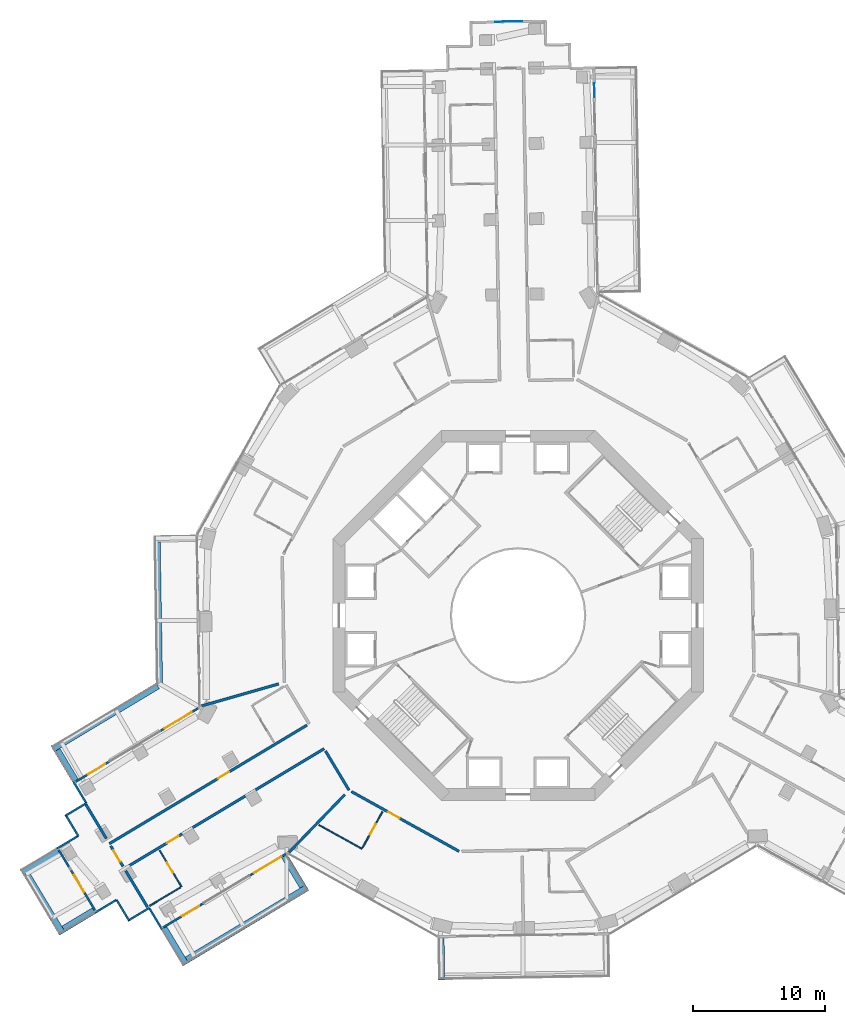
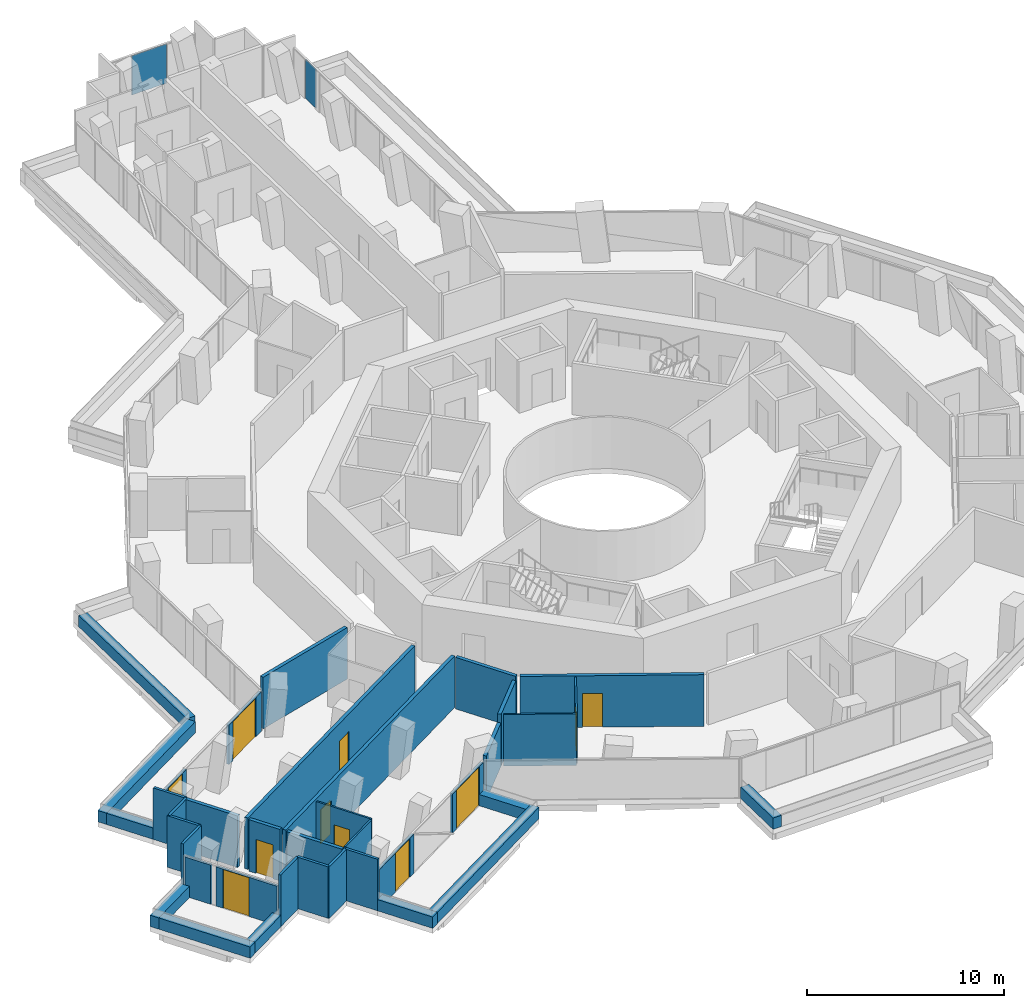
# One storey, part 17 of 25: 38 walls, 11 doors, 2 plates, 11 openings, 2 elements without a shape of their own.
"""IFC4 building model written with IfcOpenShell, lengths in metres."""

from ifc_helpers import new_model, si_unit, direction, frame, frame_2d, origin, origin_2d, place, context, subcontext, project, spatial, rectangle, extrude, material, layer, layer_set, type_object, element, fill, aggregate, save


model = new_model("IFC4")

# Units and contexts
model_context = context("Model", 3, precision=1e-05, world=origin(), true_north=direction((0.0, 1.0)))
body_context = subcontext(model_context, "Body", "Model", "MODEL_VIEW")
ifc_project = project(units=[si_unit("LENGTHUNIT", "METRE"), si_unit("AREAUNIT", "SQUARE_METRE"), si_unit("VOLUMEUNIT", "CUBIC_METRE"), si_unit("PLANEANGLEUNIT", "RADIAN"), si_unit("MASSUNIT", "GRAM", prefix="KILO")], contexts=[model_context])

# Site, building, storey
site_placement = place(None, origin())
site = spatial("IfcSite", under=ifc_project, at=site_placement, CompositionType="ELEMENT")
building_placement = place(site_placement, origin())
building = spatial("IfcBuilding", under=site, at=building_placement, Name="Verdalira Terraces Hotel", CompositionType="ELEMENT")
storey_placement = place(building_placement, frame((0.0, 0.0, 39.0)))
storey = spatial("IfcBuildingStorey", under=building, at=storey_placement, Name="L07", CompositionType="ELEMENT", Elevation=39.0)

# Curtain wall, plate
ifc_material_1 = material(Name="Clear glass", Category="glass")
ifc_layer_1 = layer(ifc_material_1, 0.14990234375)
ifc_layer_set_1 = layer_set([ifc_layer_1], Name="CW2 curtain wall")
curtain_wall_type_1 = type_object("IfcCurtainWallType", Name="CW2 curtain wall", PredefinedType="NOTDEFINED", material=ifc_layer_set_1)
curtain_wall_1_placement = place(storey_placement, origin())
curtain_wall_1 = element("IfcCurtainWall", 1, at=curtain_wall_1_placement, inside=storey, type_object=curtain_wall_type_1, Name="CW2 curtain wall L07 edge 0", PredefinedType="NOTDEFINED")
ifc_material_2 = material(Name="Clear glass", Category="glass")
ifc_layer_2 = layer(ifc_material_2, 0.031982421875)
ifc_layer_set_2 = layer_set([ifc_layer_2], Name="CW2 glass unit 32")
plate_type_1 = type_object("IfcPlateType", Name="CW2 glass unit 32", PredefinedType="CURTAIN_PANEL", material=ifc_layer_set_2)
plate_1_placement = place(storey_placement, frame((5.760742, 39.689697, 0.0), z_axis=(0.0, 0.0, 1.0), x_axis=(-0.016754377, 0.999859636, 0.0)))
plate_1 = element("IfcPlate", 2, at=plate_1_placement, type_object=plate_type_1, Name="CW2 glass unit", PredefinedType="CURTAIN_PANEL", context=body_context, shape_type="SweptSolid", body=[
    extrude(rectangle(XDim=1.055176, YDim=0.031982, at=origin_2d()), origin(), (0.0, 0.0, 1.0), 2.425049),
])
aggregate(curtain_wall_1, [plate_1])

ifc_material_3 = material(Name="Clear glass", Category="glass")
ifc_layer_3 = layer(ifc_material_3, 0.14990234375)
ifc_layer_set_3 = layer_set([ifc_layer_3], Name="CW3 curtain wall")
curtain_wall_type_2 = type_object("IfcCurtainWallType", Name="CW3 curtain wall", PredefinedType="NOTDEFINED", material=ifc_layer_set_3)
curtain_wall_2_placement = place(storey_placement, origin())
curtain_wall_2 = element("IfcCurtainWall", 3, at=curtain_wall_2_placement, inside=storey, type_object=curtain_wall_type_2, Name="CW3 curtain wall L07 edge 5", PredefinedType="NOTDEFINED")
ifc_material_4 = material(Name="Clear glass", Category="glass")
ifc_layer_4 = layer(ifc_material_4, 0.035888671875)
ifc_layer_set_4 = layer_set([ifc_layer_4], Name="CW3 glass unit 36")
plate_type_2 = type_object("IfcPlateType", Name="CW3 glass unit 36", PredefinedType="CURTAIN_PANEL", material=ifc_layer_set_4)
plate_2_placement = place(storey_placement, frame((-0.710205, 44.894775, 0.0), z_axis=(0.0, 0.0, 1.0), x_axis=(-0.999859636, -0.016754377, 0.0)))
plate_2 = element("IfcPlate", 4, at=plate_2_placement, type_object=plate_type_2, Name="CW3 glass unit", PredefinedType="CURTAIN_PANEL", context=body_context, shape_type="SweptSolid", body=[
    extrude(rectangle(XDim=2.063965, YDim=0.035889, at=origin_2d()), origin(), (0.0, 0.0, 1.0), 2.425049),
])
aggregate(curtain_wall_2, [plate_2])

# Walls
ifc_material_5 = material(Name="Concrete C40", Category="concrete")
ifc_layer_5 = layer(ifc_material_5, 0.5)
ifc_layer_set_5 = layer_set([ifc_layer_5], Name="Balcony planter trough with tree")
wall_type_1 = type_object("IfcWallType", Name="Balcony planter trough with tree", PredefinedType="SOLIDWALL", material=ifc_layer_set_5)
wall_1_placement = place(storey_placement, frame((-27.304932, 5.543213, 0.0), z_axis=(0.0, 0.0, 1.0), x_axis=(0.016753711, -0.999859647, 0.0)))
element("IfcWall", 5, at=wall_1_placement, inside=storey, type_object=wall_type_1, Name="Balcony planter", PredefinedType="SOLIDWALL", context=body_context, shape_type="SweptSolid", body=[
    extrude(rectangle(XDim=10.652344, YDim=0.5, at=frame_2d((5.326172, 0.0))), origin(), (0.0, 0.0, 1.0), 0.699951),
])
wall_2_placement = place(storey_placement, frame((-27.247803, -5.326172, 0.0), z_axis=(0.0, 0.0, 1.0), x_axis=(-0.85753243, -0.514429909, 0.0)))
element("IfcWall", 6, at=wall_2_placement, inside=storey, type_object=wall_type_1, Name="Balcony planter", PredefinedType="SOLIDWALL", context=body_context, shape_type="SweptSolid", body=[
    extrude(rectangle(XDim=9.269531, YDim=0.5, at=frame_2d((4.634766, 0.0))), origin(), (0.0, 0.0, 1.0), 0.699951),
])
wall_3_placement = place(storey_placement, frame((-34.85376, -10.180664, 0.0), z_axis=(0.0, 0.0, 1.0), x_axis=(0.514429241, -0.857532831, 0.0)))
element("IfcWall", 7, at=wall_3_placement, inside=storey, type_object=wall_type_1, Name="Balcony planter", PredefinedType="SOLIDWALL", context=body_context, shape_type="SweptSolid", body=[
    extrude(rectangle(XDim=2.698975, YDim=0.5, at=frame_2d((1.349609, 0.0))), origin(), (0.0, 0.0, 1.0), 0.699951),
])
wall_4_placement = place(storey_placement, frame((-34.786377, -17.778564, 0.0), z_axis=(0.0, 0.0, 1.0), x_axis=(-0.857566989, -0.514372297, 0.0)))
element("IfcWall", 8, at=wall_4_placement, inside=storey, type_object=wall_type_1, Name="Balcony planter", PredefinedType="SOLIDWALL", context=body_context, shape_type="SweptSolid", body=[
    extrude(rectangle(XDim=3.198975, YDim=0.5, at=frame_2d((1.599609, 0.0))), origin(), (0.0, 0.0, 1.0), 0.699951),
])
wall_5_placement = place(storey_placement, frame((-37.186768, -19.51001, 0.0), z_axis=(0.0, 0.0, 1.0), x_axis=(0.514441562, -0.85752544, 0.0)))
element("IfcWall", 9, at=wall_5_placement, inside=storey, type_object=wall_type_1, Name="Balcony planter", PredefinedType="SOLIDWALL", context=body_context, shape_type="SweptSolid", body=[
    extrude(rectangle(XDim=5.300049, YDim=0.5, at=frame_2d((2.649902, 0.0))), origin(), (0.0, 0.0, 1.0), 0.699951),
])
wall_6_placement = place(storey_placement, frame((-34.374268, -23.711914, 0.0), z_axis=(0.0, 0.0, 1.0), x_axis=(0.857532831, 0.514429241, 0.0)))
element("IfcWall", 10, at=wall_6_placement, inside=storey, type_object=wall_type_1, Name="Balcony planter", PredefinedType="SOLIDWALL", context=body_context, shape_type="SweptSolid", body=[
    extrude(rectangle(XDim=2.698975, YDim=0.5, at=frame_2d((1.349609, 0.0))), origin(), (0.0, 0.0, 1.0), 0.699951),
])
wall_7_placement = place(storey_placement, frame((-26.776367, -23.644531, 0.0), z_axis=(0.0, 0.0, 1.0), x_axis=(0.514372297, -0.857566989, 0.0)))
element("IfcWall", 11, at=wall_7_placement, inside=storey, type_object=wall_type_1, Name="Balcony planter", PredefinedType="SOLIDWALL", context=body_context, shape_type="SweptSolid", body=[
    extrude(rectangle(XDim=3.198975, YDim=0.5, at=frame_2d((1.599609, 0.0))), origin(), (0.0, 0.0, 1.0), 0.699951),
])
wall_8_placement = place(storey_placement, frame((-25.044922, -26.044922, 0.0), z_axis=(0.0, 0.0, 1.0), x_axis=(0.857519302, 0.514451793, 0.0)))
element("IfcWall", 12, at=wall_8_placement, inside=storey, type_object=wall_type_1, Name="Balcony planter", PredefinedType="SOLIDWALL", context=body_context, shape_type="SweptSolid", body=[
    extrude(rectangle(XDim=10.616943, YDim=0.5, at=frame_2d((5.308594, 0.0))), origin(), (0.0, 0.0, 1.0), 0.699951),
])
wall_9_placement = place(storey_placement, frame((-16.283691, -20.497314, 0.0), z_axis=(0.0, 0.0, 1.0), x_axis=(-0.514429241, 0.857532831, 0.0)))
element("IfcWall", 13, at=wall_9_placement, inside=storey, type_object=wall_type_1, Name="Balcony planter", PredefinedType="SOLIDWALL", context=body_context, shape_type="SweptSolid", body=[
    extrude(rectangle(XDim=2.698975, YDim=0.5, at=frame_2d((1.349609, 0.0))), origin(), (0.0, 0.0, 1.0), 0.699951),
])
wall_10_placement = place(storey_placement, frame((-5.842773, -24.360596, 0.0), z_axis=(0.0, 0.0, 1.0), x_axis=(0.016790244, -0.999859034, 0.0)))
element("IfcWall", 14, at=wall_10_placement, inside=storey, type_object=wall_type_1, Name="Balcony planter", PredefinedType="SOLIDWALL", context=body_context, shape_type="SweptSolid", body=[
    extrude(rectangle(XDim=3.198975, YDim=0.5, at=frame_2d((1.599609, 0.0))), origin(), (0.0, 0.0, 1.0), 0.699951),
])
ifc_material_6 = material(Name="Moisture-resistant gypsum board partition")
ifc_layer_6 = layer(ifc_material_6, 0.10009765625)
ifc_layer_set_6 = layer_set([ifc_layer_6], Name="Bathroom partition 100 mm")
wall_type_2 = type_object("IfcWallType", Name="Bathroom partition 100 mm", PredefinedType="PARTITIONING", material=ifc_layer_set_6)
wall_11_placement = place(storey_placement, frame((-25.533447, -20.56543, 0.0), z_axis=(0.0, 0.0, 1.0), x_axis=(-0.85752484, -0.514442562, 0.0)))
element("IfcWall", 15, at=wall_11_placement, inside=storey, type_object=wall_type_2, Name="Bathroom partition", PredefinedType="PARTITIONING", context=body_context, shape_type="SweptSolid", body=[
    extrude(rectangle(XDim=2.699951, YDim=0.100098, at=frame_2d((1.350098, 0.0))), origin(), (0.0, 0.0, 1.0), 3.189941),
])

# Wall, opening, door
wall_12_placement = place(storey_placement, frame((-25.447754, -20.513916, 0.0), z_axis=(0.0, 0.0, 1.0), x_axis=(-0.514473315, 0.85750639, 0.0)))
wall_12 = element("IfcWall", 16, at=wall_12_placement, inside=storey, type_object=wall_type_2, Name="Bathroom partition", PredefinedType="PARTITIONING", context=body_context, shape_type="SweptSolid", body=[
    extrude(rectangle(XDim=3.199951, YDim=0.100098, at=frame_2d((1.600098, 0.0))), origin(), (0.0, 0.0, 1.0), 3.189941),
])
opening_1_placement = place(wall_12_placement, frame((1.25, 0.0, 0.0)))
opening_1 = element("IfcOpeningElement", 17, at=opening_1_placement, cuts=wall_12, Name="Opening L07-116", PredefinedType="OPENING", context=body_context, shape_type="SweptSolid", body=[
    extrude(rectangle(XDim=0.899902, YDim=2.100098, at=frame_2d((0.449951, 1.050049))), frame((0.0, 0.060059, 0.0), z_axis=(0.0, -1.0, 0.0), x_axis=(1.0, 0.0, 0.0)), (0.0, 0.0, 1.0), 0.120117),
])
ifc_material_7 = material(Name="Timber door", Category="wood")
door_type_1 = type_object("IfcDoorType", Name="Bathroom door 900 x 2100", OperationType="NOTDEFINED", PredefinedType="DOOR", material=ifc_material_7)
door_1_placement = place(opening_1_placement, origin())
door_1 = element("IfcDoor", 18, at=door_1_placement, inside=storey, type_object=door_type_1, Name="Bathroom door 0708", OperationType="SINGLE_SWING_LEFT", OverallHeight=2.10009765625, OverallWidth=0.89990234375, PredefinedType="DOOR", context=body_context, shape_type="SweptSolid", body=[
    extrude(rectangle(XDim=0.899902, YDim=2.100098, at=frame_2d((0.449951, 1.050049))), frame((0.0, 0.024902, 0.0), z_axis=(0.0, -1.0, 0.0), x_axis=(1.0, 0.0, 0.0)), (0.0, 0.0, 1.0), 0.050049),
])
fill(opening_1, door_1)

# Wall
wall_13_placement = place(storey_placement, frame((-11.808105, -17.644775, 0.0), z_axis=(0.0, 0.0, 1.0), x_axis=(-0.874266072, 0.485447046, 0.0)))
element("IfcWall", 19, at=wall_13_placement, inside=storey, type_object=wall_type_2, Name="Bathroom partition", PredefinedType="PARTITIONING", context=body_context, shape_type="SweptSolid", body=[
    extrude(rectangle(XDim=3.704102, YDim=0.100098, at=frame_2d((1.852051, 0.0))), origin(), (0.0, 0.0, 1.0), 3.189941),
])

# Wall, opening, door
wall_14_placement = place(storey_placement, frame((-11.759521, -17.557373, 0.0), z_axis=(0.0, 0.0, 1.0), x_axis=(0.485449002, 0.874264986, 0.0)))
wall_14 = element("IfcWall", 20, at=wall_14_placement, inside=storey, type_object=wall_type_2, Name="Bathroom partition", PredefinedType="PARTITIONING", context=body_context, shape_type="SweptSolid", body=[
    extrude(rectangle(XDim=3.100098, YDim=0.100098, at=frame_2d((1.550049, 0.0))), origin(), (0.0, 0.0, 1.0), 3.189941),
])
opening_2_placement = place(wall_14_placement, frame((1.149902, 0.0, 0.0)))
opening_2 = element("IfcOpeningElement", 21, at=opening_2_placement, cuts=wall_14, Name="Opening L07-118", PredefinedType="OPENING", context=body_context, shape_type="SweptSolid", body=[
    extrude(rectangle(XDim=0.899902, YDim=2.100098, at=frame_2d((0.449951, 1.050049))), frame((0.0, 0.060059, 0.0), z_axis=(0.0, -1.0, 0.0), x_axis=(1.0, 0.0, 0.0)), (0.0, 0.0, 1.0), 0.120117),
])
door_2_placement = place(opening_2_placement, origin())
door_2 = element("IfcDoor", 22, at=door_2_placement, inside=storey, type_object=door_type_1, Name="Bathroom door 0709", OperationType="SINGLE_SWING_LEFT", OverallHeight=2.10009765625, OverallWidth=0.89990234375, PredefinedType="DOOR", context=body_context, shape_type="SweptSolid", body=[
    extrude(rectangle(XDim=0.899902, YDim=2.100098, at=frame_2d((0.449951, 1.050049))), frame((0.0, 0.024902, 0.0), z_axis=(0.0, -1.0, 0.0), x_axis=(1.0, 0.0, 0.0)), (0.0, 0.0, 1.0), 0.050049),
])
fill(opening_2, door_2)

# Walls
ifc_material_8 = material(Name="Fire-rated gypsum board wall")
ifc_layer_7 = layer(ifc_material_8, 0.199951171875)
ifc_layer_set_7 = layer_set([ifc_layer_7], Name="Demising wall 200 mm")
wall_type_3 = type_object("IfcWallType", Name="Demising wall 200 mm", PredefinedType="SOLIDWALL", material=ifc_layer_set_7)
wall_15_placement = place(storey_placement, frame((-32.675781, -14.296631, 0.0), z_axis=(0.0, 0.0, 1.0), x_axis=(0.514424013, -0.857535967, 0.0)))
element("IfcWall", 23, at=wall_15_placement, inside=storey, type_object=wall_type_3, Name="Demising wall", PredefinedType="SOLIDWALL", context=body_context, shape_type="SweptSolid", body=[
    extrude(rectangle(XDim=3.002686, YDim=0.199951, at=frame_2d((1.501465, 0.0))), origin(), (0.0, 0.0, 1.0), 3.189941),
])
wall_16_placement = place(storey_placement, frame((-29.66748, -19.311523, 0.0), z_axis=(0.0, 0.0, 1.0), x_axis=(0.514417313, -0.857539986, 0.0)))
element("IfcWall", 24, at=wall_16_placement, inside=storey, type_object=wall_type_3, Name="Demising wall", PredefinedType="SOLIDWALL", context=body_context, shape_type="SweptSolid", body=[
    extrude(rectangle(XDim=3.204102, YDim=0.199951, at=frame_2d((1.602051, 0.0))), origin(), (0.0, 0.0, 1.0), 3.189941),
])
wall_17_placement = place(storey_placement, frame((-18.106201, -5.178223, 0.0), z_axis=(0.0, 0.0, 1.0), x_axis=(-0.961454804, -0.274963015, 0.0)))
element("IfcWall", 25, at=wall_17_placement, inside=storey, type_object=wall_type_3, Name="Demising wall", PredefinedType="SOLIDWALL", context=body_context, shape_type="SweptSolid", body=[
    extrude(rectangle(XDim=6.131836, YDim=0.199951, at=frame_2d((3.065918, 0.0))), origin(), (0.0, 0.0, 1.0), 3.189941),
])
wall_18_placement = place(storey_placement, frame((-13.091309, -13.537598, 0.0), z_axis=(0.0, 0.0, 1.0), x_axis=(-0.695176692, -0.718838902, 0.0)))
element("IfcWall", 26, at=wall_18_placement, inside=storey, type_object=wall_type_3, Name="Demising wall", PredefinedType="SOLIDWALL", context=body_context, shape_type="SweptSolid", body=[
    extrude(rectangle(XDim=3.074707, YDim=0.199951, at=frame_2d((1.537354, 0.0))), origin(), (0.0, 0.0, 1.0), 3.189941),
])
ifc_material_9 = material(Name="Fire-rated gypsum board wall")
ifc_layer_8 = layer(ifc_material_9, 0.199951171875)
ifc_layer_set_8 = layer_set([ifc_layer_8], Name="Demising wall 200 mm to beam soffit")
wall_type_4 = type_object("IfcWallType", Name="Demising wall 200 mm to beam soffit", PredefinedType="SOLIDWALL", material=ifc_layer_set_8)
wall_19_placement = place(storey_placement, frame((-15.260498, -15.780762, 0.0), z_axis=(0.0, 0.0, 1.0), x_axis=(-0.695171555, -0.718843869, 0.0)))
element("IfcWall", 27, at=wall_19_placement, inside=storey, type_object=wall_type_4, Name="Demising wall", PredefinedType="SOLIDWALL", context=body_context, shape_type="SweptSolid", body=[
    extrude(rectangle(XDim=3.011475, YDim=0.199951, at=frame_2d((1.505859, 0.0))), origin(), (0.0, 0.0, 1.0), 2.689941),
])

# Wall, opening, door
ifc_material_10 = material(Name="Fire-rated gypsum board wall")
ifc_layer_9 = layer(ifc_material_10, 0.199951171875)
ifc_layer_set_9 = layer_set([ifc_layer_9], Name="Guest corridor wall 200 mm")
wall_type_5 = type_object("IfcWallType", Name="Guest corridor wall 200 mm", PredefinedType="SOLIDWALL", material=ifc_layer_set_9)
wall_20_placement = place(storey_placement, frame((-29.871094, -18.971924, 0.0), z_axis=(0.0, 0.0, 1.0), x_axis=(-0.514455905, 0.857516835, 0.0)))
wall_20 = element("IfcWall", 28, at=wall_20_placement, inside=storey, type_object=wall_type_5, Name="Guest corridor wall", PredefinedType="SOLIDWALL", context=body_context, shape_type="SweptSolid", body=[
    extrude(rectangle(XDim=1.802002, YDim=0.199951, at=frame_2d((0.900879, 0.0))), origin(), (0.0, 0.0, 1.0), 3.189941),
])
opening_3_placement = place(wall_20_placement, frame((0.399902, 0.0, 0.0)))
opening_3 = element("IfcOpeningElement", 29, at=opening_3_placement, cuts=wall_20, Name="Opening L07-114", PredefinedType="OPENING", context=body_context, shape_type="SweptSolid", body=[
    extrude(rectangle(XDim=1.0, YDim=2.100098, at=frame_2d((0.5, 1.050049))), frame((0.0, 0.109863, 0.0), z_axis=(0.0, -1.0, 0.0), x_axis=(1.0, 0.0, 0.0)), (0.0, 0.0, 1.0), 0.219971),
])
ifc_material_11 = material(Name="Timber door", Category="wood")
door_type_2 = type_object("IfcDoorType", Name="Lounge door 1000 x 2100", OperationType="NOTDEFINED", PredefinedType="DOOR", material=ifc_material_11)
door_3_placement = place(opening_3_placement, origin())
door_3 = element("IfcDoor", 30, at=door_3_placement, inside=storey, type_object=door_type_2, Name="Lounge door 0707", OperationType="SINGLE_SWING_LEFT", OverallHeight=2.10009765625, OverallWidth=1.0, PredefinedType="DOOR", context=body_context, shape_type="SweptSolid", body=[
    extrude(rectangle(XDim=1.0, YDim=2.100098, at=frame_2d((0.5, 1.050049))), frame((0.0, 0.024902, 0.0), z_axis=(0.0, -1.0, 0.0), x_axis=(1.0, 0.0, 0.0)), (0.0, 0.0, 1.0), 0.050049),
])
fill(opening_3, door_3)

wall_21_placement = place(storey_placement, frame((-30.901123, -17.255127, 0.0), z_axis=(0.0, 0.0, 1.0), x_axis=(0.857523845, 0.514444219, 0.0)))
wall_21 = element("IfcWall", 31, at=wall_21_placement, inside=storey, type_object=wall_type_5, Name="Guest corridor wall", PredefinedType="SOLIDWALL", context=body_context, shape_type="SweptSolid", body=[
    extrude(rectangle(XDim=17.416748, YDim=0.199951, at=frame_2d((8.708496, 0.0))), origin(), (0.0, 0.0, 1.0), 3.189941),
])
opening_4_placement = place(wall_21_placement, frame((9.550049, 0.0, 0.0)))
opening_4 = element("IfcOpeningElement", 32, at=opening_4_placement, cuts=wall_21, Name="Opening L07-112", PredefinedType="OPENING", context=body_context, shape_type="SweptSolid", body=[
    extrude(rectangle(XDim=1.0, YDim=2.100098, at=frame_2d((0.5, 1.050049))), frame((0.0, 0.109863, 0.0), z_axis=(0.0, -1.0, 0.0), x_axis=(1.0, 0.0, 0.0)), (0.0, 0.0, 1.0), 0.219971),
])
ifc_material_12 = material(Name="Timber fire door", Category="wood")
door_type_3 = type_object("IfcDoorType", Name="Guest entry door 1000 x 2100", OperationType="NOTDEFINED", PredefinedType="DOOR", material=ifc_material_12)
door_4_placement = place(opening_4_placement, origin())
door_4 = element("IfcDoor", 33, at=door_4_placement, inside=storey, type_object=door_type_3, Name="Guest entry door 0706", OperationType="SINGLE_SWING_LEFT", OverallHeight=2.10009765625, OverallWidth=1.0, PredefinedType="DOOR", context=body_context, shape_type="SweptSolid", body=[
    extrude(rectangle(XDim=1.0, YDim=2.100098, at=frame_2d((0.5, 1.050049))), frame((0.0, 0.024902, 0.0), z_axis=(0.0, -1.0, 0.0), x_axis=(1.0, 0.0, 0.0)), (0.0, 0.0, 1.0), 0.050049),
])
fill(opening_4, door_4)

wall_22_placement = place(storey_placement, frame((-14.662354, -10.078857, 0.0), z_axis=(0.0, 0.0, 1.0), x_axis=(-0.857528385, -0.514436652, 0.0)))
wall_22 = element("IfcWall", 34, at=wall_22_placement, inside=storey, type_object=wall_type_5, Name="Guest corridor wall", PredefinedType="SOLIDWALL", context=body_context, shape_type="SweptSolid", body=[
    extrude(rectangle(XDim=17.616943, YDim=0.199951, at=frame_2d((8.808594, 0.0))), origin(), (0.0, 0.0, 1.0), 3.189941),
])
opening_5_placement = place(wall_22_placement, frame((12.850098, 0.0, 0.0)))
opening_5 = element("IfcOpeningElement", 35, at=opening_5_placement, cuts=wall_22, Name="Opening L07-115", PredefinedType="OPENING", context=body_context, shape_type="SweptSolid", body=[
    extrude(rectangle(XDim=1.0, YDim=2.100098, at=frame_2d((0.5, 1.050049))), frame((0.0, 0.109863, 0.0), z_axis=(0.0, -1.0, 0.0), x_axis=(1.0, 0.0, 0.0)), (0.0, 0.0, 1.0), 0.219971),
])
door_5_placement = place(opening_5_placement, origin())
door_5 = element("IfcDoor", 36, at=door_5_placement, inside=storey, type_object=door_type_3, Name="Guest entry door 0708", OperationType="SINGLE_SWING_LEFT", OverallHeight=2.10009765625, OverallWidth=1.0, PredefinedType="DOOR", context=body_context, shape_type="SweptSolid", body=[
    extrude(rectangle(XDim=1.0, YDim=2.100098, at=frame_2d((0.5, 1.050049))), frame((0.0, 0.024902, 0.0), z_axis=(0.0, -1.0, 0.0), x_axis=(1.0, 0.0, 0.0)), (0.0, 0.0, 1.0), 0.050049),
])
fill(opening_5, door_5)

# Wall
wall_23_placement = place(storey_placement, frame((-14.559326, -10.250488, 0.0), z_axis=(0.0, 0.0, 1.0), x_axis=(0.514412691, -0.857542759, 0.0)))
element("IfcWall", 37, at=wall_23_placement, inside=storey, type_object=wall_type_5, Name="Guest corridor wall", PredefinedType="SOLIDWALL", context=body_context, shape_type="SweptSolid", body=[
    extrude(rectangle(XDim=3.458008, YDim=0.199951, at=frame_2d((1.729004, 0.0))), origin(), (0.0, 0.0, 1.0), 3.189941),
])

# Wall, opening, door
wall_24_placement = place(storey_placement, frame((-4.460693, -17.835205, 0.0), z_axis=(0.0, 0.0, 1.0), x_axis=(-0.874278393, 0.485424857, 0.0)))
wall_24 = element("IfcWall", 38, at=wall_24_placement, inside=storey, type_object=wall_type_5, Name="Guest corridor wall", PredefinedType="SOLIDWALL", context=body_context, shape_type="SweptSolid", body=[
    extrude(rectangle(XDim=9.315918, YDim=0.199951, at=frame_2d((4.657959, 0.0))), origin(), (0.0, 0.0, 1.0), 3.189941),
])
opening_6_placement = place(wall_24_placement, frame((5.149902, 0.0, 0.0)))
opening_6 = element("IfcOpeningElement", 39, at=opening_6_placement, cuts=wall_24, Name="Opening L07-117", PredefinedType="OPENING", context=body_context, shape_type="SweptSolid", body=[
    extrude(rectangle(XDim=1.0, YDim=2.100098, at=frame_2d((0.5, 1.050049))), frame((0.0, 0.109863, 0.0), z_axis=(0.0, -1.0, 0.0), x_axis=(1.0, 0.0, 0.0)), (0.0, 0.0, 1.0), 0.219971),
])
door_6_placement = place(opening_6_placement, origin())
door_6 = element("IfcDoor", 40, at=door_6_placement, inside=storey, type_object=door_type_3, Name="Guest entry door 0709", OperationType="SINGLE_SWING_LEFT", OverallHeight=2.10009765625, OverallWidth=1.0, PredefinedType="DOOR", context=body_context, shape_type="SweptSolid", body=[
    extrude(rectangle(XDim=1.0, YDim=2.100098, at=frame_2d((0.5, 1.050049))), frame((0.0, 0.024902, 0.0), z_axis=(0.0, -1.0, 0.0), x_axis=(1.0, 0.0, 0.0)), (0.0, 0.0, 1.0), 0.050049),
])
fill(opening_6, door_6)

# Walls
ifc_material_13 = material(Name="Terracotta cladding", Category="masonry")
ifc_layer_10 = layer(ifc_material_13, 0.14990234375)
ifc_layer_set_10 = layer_set([ifc_layer_10], Name="Terracotta clad wall 150")
wall_type_6 = type_object("IfcWallType", Name="Terracotta clad wall 150", PredefinedType="SOLIDWALL", material=ifc_layer_set_10)
wall_25_placement = place(storey_placement, frame((-33.614746, -12.585938, 0.0), z_axis=(0.0, 0.0, 1.0), x_axis=(0.514438311, -0.85752739, 0.0)))
element("IfcWall", 41, at=wall_25_placement, inside=storey, type_object=wall_type_6, Name="Terracotta cladding wall", PredefinedType="SOLIDWALL", context=body_context, shape_type="SweptSolid", body=[
    extrude(rectangle(XDim=1.875, YDim=0.149902, at=frame_2d((0.9375, 0.0))), origin(), (0.0, 0.0, 1.0), 3.189941),
])
wall_26_placement = place(storey_placement, frame((-32.650146, -14.193848, 0.0), z_axis=(0.0, 0.0, 1.0), x_axis=(-0.857540789, -0.514415975, 0.0)))
element("IfcWall", 42, at=wall_26_placement, inside=storey, type_object=wall_type_6, Name="Terracotta cladding wall", PredefinedType="SOLIDWALL", context=body_context, shape_type="SweptSolid", body=[
    extrude(rectangle(XDim=1.800049, YDim=0.149902, at=frame_2d((0.899902, 0.0))), origin(), (0.0, 0.0, 1.0), 3.189941),
])
for number, where, z_axis, x_axis, name in (
    (43, (-34.232422, -15.05542, 0.0), (0.0, 0.0, 1.0), (0.514438311, -0.85752739, 0.0), "Terracotta cladding wall"),
    (44, (-33.267822, -16.66333, 0.0), (0.0, 0.0, 1.0), (-0.85752739, -0.514438311, 0.0), "Terracotta cladding wall"),
    (45, (-31.968994, -22.4729, 0.0), (0.0, 0.0, 1.0), (0.85752739, 0.514438311, 0.0), "Terracotta cladding wall"),
):
    element("IfcWall", number, at=place(storey_placement, frame(where, z_axis=z_axis, x_axis=x_axis)), inside=storey, type_object=wall_type_6, Name=name, PredefinedType="SOLIDWALL", context=body_context, shape_type="SweptSolid", body=[
        extrude(rectangle(XDim=1.875, YDim=0.149902, at=frame_2d((0.9375, 0.0))), origin(), (0.0, 0.0, 1.0), 3.189941),
    ])
wall_27_placement = place(storey_placement, frame((-30.361084, -21.508301, 0.0), z_axis=(0.0, 0.0, 1.0), x_axis=(0.514316231, -0.857600615, 0.0)))
element("IfcWall", 46, at=wall_27_placement, inside=storey, type_object=wall_type_6, Name="Terracotta cladding wall", PredefinedType="SOLIDWALL", context=body_context, shape_type="SweptSolid", body=[
    extrude(rectangle(XDim=1.800049, YDim=0.149902, at=frame_2d((0.899902, 0.0))), origin(), (0.0, 0.0, 1.0), 3.189941),
])
for number, where, z_axis, x_axis, name in (
    (47, (-29.499512, -23.090576, 0.0), (0.0, 0.0, 1.0), (0.85752739, 0.514438311, 0.0), "Terracotta cladding wall"),
    (48, (-27.891602, -22.125977, 0.0), (0.0, 0.0, 1.0), (0.514438311, -0.85752739, 0.0), "Terracotta cladding wall"),
):
    element("IfcWall", number, at=place(storey_placement, frame(where, z_axis=z_axis, x_axis=x_axis)), inside=storey, type_object=wall_type_6, Name=name, PredefinedType="SOLIDWALL", context=body_context, shape_type="SweptSolid", body=[
        extrude(rectangle(XDim=1.875, YDim=0.149902, at=frame_2d((0.9375, 0.0))), origin(), (0.0, 0.0, 1.0), 3.189941),
    ])
ifc_material_14 = material(Name="Terracotta cladding", Category="masonry")
ifc_layer_11 = layer(ifc_material_14, 0.14990234375)
ifc_layer_set_11 = layer_set([ifc_layer_11], Name="Terracotta column pier 150")
wall_type_7 = type_object("IfcWallType", Name="Terracotta column pier 150", PredefinedType="SOLIDWALL", material=ifc_layer_set_11)
wall_28_placement = place(storey_placement, frame((-34.731689, -17.722168, 0.0), z_axis=(0.0, 0.0, 1.0), x_axis=(0.514448023, -0.857521563, 0.0)))
element("IfcWall", 49, at=wall_28_placement, inside=storey, type_object=wall_type_7, Name="Terracotta column pier", PredefinedType="SOLIDWALL", context=body_context, shape_type="SweptSolid", body=[
    extrude(rectangle(XDim=1.504395, YDim=0.149902, at=frame_2d((0.752197, 0.0))), origin(), (0.0, 0.0, 1.0), 2.425049),
])

# Wall, opening, door
ifc_material_15 = material(Name="Terracotta cladding", Category="masonry")
ifc_layer_12 = layer(ifc_material_15, 0.14990234375)
ifc_layer_set_12 = layer_set([ifc_layer_12], Name="Terracotta door pier 150")
wall_type_8 = type_object("IfcWallType", Name="Terracotta door pier 150", PredefinedType="SOLIDWALL", material=ifc_layer_set_12)
wall_29_placement = place(storey_placement, frame((-24.16748, -7.005859, 0.0), z_axis=(0.0, 0.0, 1.0), x_axis=(-0.857537249, -0.514421876, 0.0)))
wall_29 = element("IfcWall", 50, at=wall_29_placement, inside=storey, type_object=wall_type_8, Name="Terracotta door pier", PredefinedType="SOLIDWALL", context=body_context, shape_type="SweptSolid", body=[
    extrude(rectangle(XDim=3.401855, YDim=0.149902, at=frame_2d((1.700928, 0.0))), origin(), (0.0, 0.0, 1.0), 2.425049),
])
opening_7_placement = place(wall_29_placement, frame((0.601807, 0.0, 0.0)))
opening_7 = element("IfcOpeningElement", 51, at=opening_7_placement, cuts=wall_29, Name="Opening L07-B11", PredefinedType="OPENING", context=body_context, shape_type="SweptSolid", body=[
    extrude(rectangle(XDim=2.399902, YDim=2.399902, at=frame_2d((1.199951, 1.199951))), frame((0.0, 0.084961, 0.0), z_axis=(0.0, -1.0, 0.0), x_axis=(1.0, 0.0, 0.0)), (0.0, 0.0, 1.0), 0.169922),
])
ifc_material_16 = material(Name="Clear glass", Category="glass")
door_type_4 = type_object("IfcDoorType", Name="Balcony sliding door 2400x2400", OperationType="NOTDEFINED", PredefinedType="DOOR", material=ifc_material_16)
door_7_placement = place(opening_7_placement, origin())
door_7 = element("IfcDoor", 52, at=door_7_placement, inside=storey, type_object=door_type_4, Name="Balcony sliding door", OperationType="SLIDING_TO_LEFT", OverallHeight=2.39990234375, OverallWidth=2.39990234375, PredefinedType="DOOR", context=body_context, shape_type="SweptSolid", body=[
    extrude(rectangle(XDim=2.399902, YDim=2.399902, at=frame_2d((1.199951, 1.199951))), frame((0.0, 0.024902, 0.0), z_axis=(0.0, -1.0, 0.0), x_axis=(1.0, 0.0, 0.0)), (0.0, 0.0, 1.0), 0.050049),
])
fill(opening_7, door_7)

wall_30_placement = place(storey_placement, frame((-30.887939, -11.037354, 0.0), z_axis=(0.0, 0.0, 1.0), x_axis=(-0.85750013, -0.514483748, 0.0)))
wall_30 = element("IfcWall", 53, at=wall_30_placement, inside=storey, type_object=wall_type_8, Name="Terracotta door pier", PredefinedType="SOLIDWALL", context=body_context, shape_type="SweptSolid", body=[
    extrude(rectangle(XDim=2.98999, YDim=0.149902, at=frame_2d((1.495117, 0.0))), origin(), (0.0, 0.0, 1.0), 2.425049),
])
opening_8_placement = place(wall_30_placement, frame((0.399902, 0.0, 0.0)))
opening_8 = element("IfcOpeningElement", 54, at=opening_8_placement, cuts=wall_30, Name="Opening L07-B12", PredefinedType="OPENING", context=body_context, shape_type="SweptSolid", body=[
    extrude(rectangle(XDim=1.5, YDim=2.399902, at=frame_2d((0.75, 1.199951))), frame((0.0, 0.084961, 0.0), z_axis=(0.0, -1.0, 0.0), x_axis=(1.0, 0.0, 0.0)), (0.0, 0.0, 1.0), 0.169922),
])
ifc_material_17 = material(Name="Clear glass", Category="glass")
door_type_5 = type_object("IfcDoorType", Name="Balcony sliding door 1500x2400", OperationType="NOTDEFINED", PredefinedType="DOOR", material=ifc_material_17)
door_8_placement = place(opening_8_placement, origin())
door_8 = element("IfcDoor", 55, at=door_8_placement, inside=storey, type_object=door_type_5, Name="Balcony sliding door", OperationType="SLIDING_TO_RIGHT", OverallHeight=2.39990234375, OverallWidth=1.5, PredefinedType="DOOR", context=body_context, shape_type="SweptSolid", body=[
    extrude(rectangle(XDim=1.5, YDim=2.399902, at=frame_2d((0.75, 1.199951))), frame((0.0, 0.024902, 0.0), z_axis=(0.0, -1.0, 0.0), x_axis=(1.0, 0.0, 0.0)), (0.0, 0.0, 1.0), 0.050049),
])
fill(opening_8, door_8)

wall_31_placement = place(storey_placement, frame((-33.800537, -19.274414, 0.0), z_axis=(0.0, 0.0, 1.0), x_axis=(0.514475414, -0.85750513, 0.0)))
wall_31 = element("IfcWall", 56, at=wall_31_placement, inside=storey, type_object=wall_type_8, Name="Terracotta door pier", PredefinedType="SOLIDWALL", context=body_context, shape_type="SweptSolid", body=[
    extrude(rectangle(XDim=3.530029, YDim=0.149902, at=frame_2d((1.765137, 0.0))), origin(), (0.0, 0.0, 1.0), 2.425049),
])
opening_9_placement = place(wall_31_placement, frame((0.399902, 0.0, 0.0)))
opening_9 = element("IfcOpeningElement", 57, at=opening_9_placement, cuts=wall_31, Name="Opening L07-B13", PredefinedType="OPENING", context=body_context, shape_type="SweptSolid", body=[
    extrude(rectangle(XDim=1.5, YDim=2.399902, at=frame_2d((0.75, 1.199951))), frame((0.0, 0.084961, 0.0), z_axis=(0.0, -1.0, 0.0), x_axis=(1.0, 0.0, 0.0)), (0.0, 0.0, 1.0), 0.169922),
])
door_9_placement = place(opening_9_placement, origin())
door_9 = element("IfcDoor", 58, at=door_9_placement, inside=storey, type_object=door_type_5, Name="Balcony sliding door", OperationType="SLIDING_TO_RIGHT", OverallHeight=2.39990234375, OverallWidth=1.5, PredefinedType="DOOR", context=body_context, shape_type="SweptSolid", body=[
    extrude(rectangle(XDim=1.5, YDim=2.399902, at=frame_2d((0.75, 1.199951))), frame((0.0, 0.024902, 0.0), z_axis=(0.0, -1.0, 0.0), x_axis=(1.0, 0.0, 0.0)), (0.0, 0.0, 1.0), 0.050049),
])
fill(opening_9, door_9)

wall_32_placement = place(storey_placement, frame((-26.841309, -23.594971, 0.0), z_axis=(0.0, 0.0, 1.0), x_axis=(0.857504951, 0.514475713, 0.0)))
wall_32 = element("IfcWall", 59, at=wall_32_placement, inside=storey, type_object=wall_type_8, Name="Terracotta door pier", PredefinedType="SOLIDWALL", context=body_context, shape_type="SweptSolid", body=[
    extrude(rectangle(XDim=3.582764, YDim=0.149902, at=frame_2d((1.791504, 0.0))), origin(), (0.0, 0.0, 1.0), 2.425049),
])
opening_10_placement = place(wall_32_placement, frame((1.682861, 0.0, 0.0)))
opening_10 = element("IfcOpeningElement", 60, at=opening_10_placement, cuts=wall_32, Name="Opening L07-B14", PredefinedType="OPENING", context=body_context, shape_type="SweptSolid", body=[
    extrude(rectangle(XDim=1.5, YDim=2.399902, at=frame_2d((0.75, 1.199951))), frame((0.0, 0.084961, 0.0), z_axis=(0.0, -1.0, 0.0), x_axis=(1.0, 0.0, 0.0)), (0.0, 0.0, 1.0), 0.169922),
])
door_10_placement = place(opening_10_placement, origin())
door_10 = element("IfcDoor", 61, at=door_10_placement, inside=storey, type_object=door_type_5, Name="Balcony sliding door", OperationType="SLIDING_TO_LEFT", OverallHeight=2.39990234375, OverallWidth=1.5, PredefinedType="DOOR", context=body_context, shape_type="SweptSolid", body=[
    extrude(rectangle(XDim=1.5, YDim=2.399902, at=frame_2d((0.75, 1.199951))), frame((0.0, 0.024902, 0.0), z_axis=(0.0, -1.0, 0.0), x_axis=(1.0, 0.0, 0.0)), (0.0, 0.0, 1.0), 0.050049),
])
fill(opening_10, door_10)

wall_33_placement = place(storey_placement, frame((-20.301025, -19.671387, 0.0), z_axis=(0.0, 0.0, 1.0), x_axis=(0.857526582, 0.514439657, 0.0)))
wall_33 = element("IfcWall", 62, at=wall_33_placement, inside=storey, type_object=wall_type_8, Name="Terracotta door pier", PredefinedType="SOLIDWALL", context=body_context, shape_type="SweptSolid", body=[
    extrude(rectangle(XDim=3.199951, YDim=0.149902, at=frame_2d((1.600098, 0.0))), origin(), (0.0, 0.0, 1.0), 2.425049),
])
opening_11_placement = place(wall_33_placement, frame((0.399902, 0.0, 0.0)))
opening_11 = element("IfcOpeningElement", 63, at=opening_11_placement, cuts=wall_33, Name="Opening L07-B15", PredefinedType="OPENING", context=body_context, shape_type="SweptSolid", body=[
    extrude(rectangle(XDim=2.399902, YDim=2.399902, at=frame_2d((1.199951, 1.199951))), frame((0.0, 0.084961, 0.0), z_axis=(0.0, -1.0, 0.0), x_axis=(1.0, 0.0, 0.0)), (0.0, 0.0, 1.0), 0.169922),
])
door_11_placement = place(opening_11_placement, origin())
door_11 = element("IfcDoor", 64, at=door_11_placement, inside=storey, type_object=door_type_4, Name="Balcony sliding door", OperationType="SLIDING_TO_RIGHT", OverallHeight=2.39990234375, OverallWidth=2.39990234375, PredefinedType="DOOR", context=body_context, shape_type="SweptSolid", body=[
    extrude(rectangle(XDim=2.399902, YDim=2.399902, at=frame_2d((1.199951, 1.199951))), frame((0.0, 0.024902, 0.0), z_axis=(0.0, -1.0, 0.0), x_axis=(1.0, 0.0, 0.0)), (0.0, 0.0, 1.0), 0.050049),
])
fill(opening_11, door_11)

save(model, "model.ifc")
